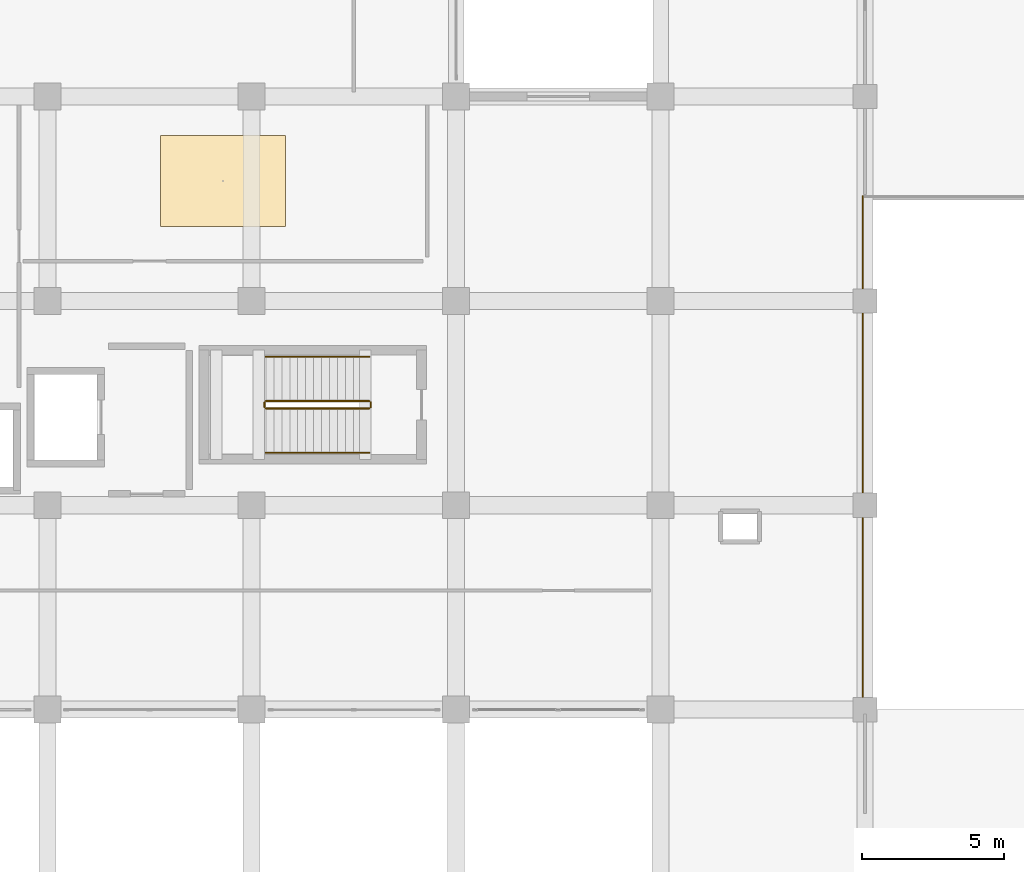
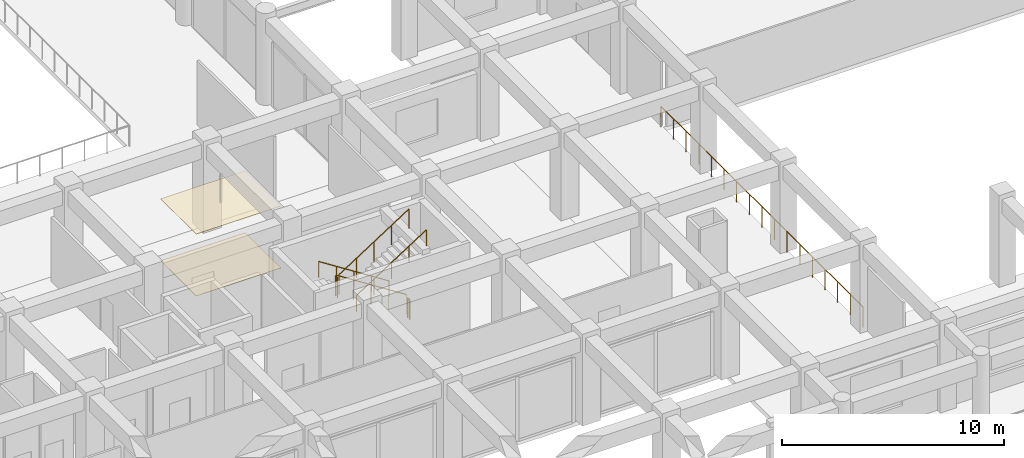
# One storey, part 51 of 54: 7 railings, 2 coverings.
"""IFC4 building model written with IfcOpenShell, lengths in metres."""

from ifc_helpers import new_model, si_unit, direction, frame, origin, origin_2d, place, context, subcontext, project, spatial, rectangle, circle, extrude, material, layer, layer_set, type_object, element, save


model = new_model("IFC4")

# Units and contexts
model_context = context("Model", 3, precision=1e-05, world=origin(), true_north=direction((0.0, 1.0)))
body_context = subcontext(model_context, "Body", "Model", "MODEL_VIEW")
ifc_project = project(units=[si_unit("LENGTHUNIT", "METRE"), si_unit("AREAUNIT", "SQUARE_METRE"), si_unit("VOLUMEUNIT", "CUBIC_METRE"), si_unit("PLANEANGLEUNIT", "RADIAN"), si_unit("MASSUNIT", "GRAM", prefix="KILO")], contexts=[model_context])

# Site, building, storey
site_placement = place(None, origin())
site = spatial("IfcSite", under=ifc_project, at=site_placement, CompositionType="ELEMENT")
building_placement = place(site_placement, origin())
building = spatial("IfcBuilding", under=site, at=building_placement, Name="Kazehaya Institute of Natural Sciences", CompositionType="ELEMENT")
storey_placement = place(building_placement, frame((0.0, 0.0, 5.39990234375)))
storey = spatial("IfcBuildingStorey", under=building, at=storey_placement, Name="L01", CompositionType="ELEMENT", Elevation=5.39990234375)

# Coverings
ifc_material_1 = material(Name="Mineral-fibre acoustic ceiling tile")
ifc_layer_1 = layer(ifc_material_1, 0.02490234375, Name="Mineral-fibre acoustic ceiling tile")
ifc_layer_set_1 = layer_set([ifc_layer_1], Name="Mineral-fibre acoustic ceiling tile")
covering_type_1 = type_object("IfcCoveringType", Name="COV-CEIL-AC", PredefinedType="CEILING", material=ifc_layer_set_1)
covering_1_placement = place(storey_placement, frame((103.989990234375, 32.625, 3.3876953125), z_axis=(0.0, 0.0, 1.0), x_axis=(1.0, 0.0, 0.0)))
element("IfcCovering", 1, at=covering_1_placement, inside=storey, type_object=covering_type_1, Name="L01 Shared NMR and Optical Instrument Suite ceiling 17", PredefinedType="CEILING", context=body_context, shape_type="SweptSolid", body=[
    extrude(rectangle(XDim=4.39990234375, YDim=3.199951171875, at=origin_2d()), origin(), (0.0, 0.0, 1.0), 0.02490234375),
])
ifc_material_2 = material(Name="Seamless chemical-resistant epoxy flooring")
ifc_layer_2 = layer(ifc_material_2, 0.014892578125, Name="Seamless chemical-resistant epoxy flooring")
ifc_layer_set_2 = layer_set([ifc_layer_2], Name="Seamless chemical-resistant epoxy flooring")
covering_type_2 = type_object("IfcCoveringType", Name="COV-FLR-EPX", PredefinedType="FLOORING", material=ifc_layer_set_2)
covering_2_placement = place(storey_placement, frame((103.989990234375, 32.625, 0.0), z_axis=(0.0, 0.0, 1.0), x_axis=(1.0, 0.0, 0.0)))
element("IfcCovering", 2, at=covering_2_placement, inside=storey, type_object=covering_type_2, Name="L01 Shared NMR and Optical Instrument Suite finish flooring 17", PredefinedType="FLOORING", context=body_context, shape_type="SweptSolid", body=[
    extrude(rectangle(XDim=4.39990234375, YDim=3.199951171875, at=origin_2d()), origin(), (0.0, 0.0, 1.0), 0.014892578125),
])

# Railings
ifc_material_3 = material(Name="Structural steel SN490B", Category="steel")
railing_type_1 = type_object("IfcRailingType", Name="RL-GUARD-VOID", PredefinedType="GUARDRAIL", material=ifc_material_3)
railing_1_placement = place(storey_placement, frame((126.52001953125, 13.919921875, 0.0)))
element("IfcRailing", 3, at=railing_1_placement, inside=storey, type_object=railing_type_1, Name="L01 void guard GRD-L01-038", PredefinedType="GUARDRAIL", context=body_context, shape_type="SweptSolid", body=[
    extrude(circle(Radius=0.02392578125, at=origin_2d()), frame((0.0, 0.0, 1.1259765625), z_axis=(0.0, 1.0, 0.0), x_axis=(-1.0, 0.0, 0.0)), (0.0, 0.0, 1.0), 18.16015625),
    extrude(circle(Radius=0.02099609375, at=origin_2d()), origin(), (0.0, 0.0, 1.0), 1.101806640625),
    extrude(circle(Radius=0.02099609375, at=origin_2d()), frame((0.0, 1.135009765625, 0.0)), (0.0, 0.0, 1.0), 1.101806640625),
    extrude(circle(Radius=0.02099609375, at=origin_2d()), frame((0.0, 2.27001953125, 0.0)), (0.0, 0.0, 1.0), 1.101806640625),
    extrude(circle(Radius=0.02099609375, at=origin_2d()), frame((0.0, 3.405029296875, 0.0)), (0.0, 0.0, 1.0), 1.101806640625),
    extrude(circle(Radius=0.02099609375, at=origin_2d()), frame((0.0, 4.5400390625, 0.0)), (0.0, 0.0, 1.0), 1.101806640625),
    extrude(circle(Radius=0.02099609375, at=origin_2d()), frame((0.0, 5.675048828125, 0.0)), (0.0, 0.0, 1.0), 1.101806640625),
    extrude(circle(Radius=0.02099609375, at=origin_2d()), frame((0.0, 6.81005859375, 0.0)), (0.0, 0.0, 1.0), 1.101806640625),
    extrude(circle(Radius=0.02099609375, at=origin_2d()), frame((0.0, 7.945068359375, 0.0)), (0.0, 0.0, 1.0), 1.101806640625),
    extrude(circle(Radius=0.02099609375, at=origin_2d()), frame((0.0, 9.080078125, 0.0)), (0.0, 0.0, 1.0), 1.101806640625),
    extrude(circle(Radius=0.02099609375, at=origin_2d()), frame((0.0, 10.215087890625, 0.0)), (0.0, 0.0, 1.0), 1.101806640625),
    extrude(circle(Radius=0.02099609375, at=origin_2d()), frame((0.0, 11.35009765625, 0.0)), (0.0, 0.0, 1.0), 1.101806640625),
    extrude(circle(Radius=0.02099609375, at=origin_2d()), frame((0.0, 12.485107421875, 0.0)), (0.0, 0.0, 1.0), 1.101806640625),
    extrude(circle(Radius=0.02099609375, at=origin_2d()), frame((0.0, 13.6201171875, 0.0)), (0.0, 0.0, 1.0), 1.101806640625),
    extrude(circle(Radius=0.02099609375, at=origin_2d()), frame((0.0, 14.755126953125, 0.0)), (0.0, 0.0, 1.0), 1.101806640625),
    extrude(circle(Radius=0.02099609375, at=origin_2d()), frame((0.0, 15.89013671875, 0.0)), (0.0, 0.0, 1.0), 1.101806640625),
    extrude(circle(Radius=0.02099609375, at=origin_2d()), frame((0.0, 17.025146484375, 0.0)), (0.0, 0.0, 1.0), 1.101806640625),
    extrude(circle(Radius=0.02099609375, at=origin_2d()), frame((0.0, 18.16015625, 0.0)), (0.0, 0.0, 1.0), 1.101806640625),
])
railing_type_2 = type_object("IfcRailingType", Name="RL-STAIR-GRD", PredefinedType="GUARDRAIL", material=ifc_material_3)
railing_2_placement = place(storey_placement, frame((109.139892578125, 24.8701171875, 0.18017578125)))
element("IfcRailing", 4, at=railing_2_placement, inside=storey, type_object=railing_type_2, Name="L01 ST-2 stair guard 1", PredefinedType="GUARDRAIL", context=body_context, shape_type="SweptSolid", body=[
    extrude(circle(Radius=0.02392578125, at=origin_2d()), frame((0.0, 0.0, 1.076171875), z_axis=(-0.841187641198, 0.0, 0.540743333104), x_axis=(0.0, -1.0, 0.0)), (0.0, 0.0, 1.0), 4.3271484375),
    extrude(circle(Radius=0.02099609375, at=origin_2d()), origin(), (0.0, 0.0, 1.0), 1.052001953125),
    extrude(circle(Radius=0.02099609375, at=origin_2d()), frame((-0.909912109375, 0.0, 0.5849609375)), (0.0, 0.0, 1.0), 1.052001953125),
    extrude(circle(Radius=0.02099609375, at=origin_2d()), frame((-1.81982421875, 0.0, 1.169921875)), (0.0, 0.0, 1.0), 1.052001953125),
    extrude(circle(Radius=0.02099609375, at=origin_2d()), frame((-2.72998046875, 0.0, 1.7548828125)), (0.0, 0.0, 1.0), 1.052001953125),
    extrude(circle(Radius=0.02099609375, at=origin_2d()), frame((-3.639892578125, 0.0, 2.33984375)), (0.0, 0.0, 1.0), 1.052001953125),
])
railing_3_placement = place(storey_placement, frame((105.449951171875, 24.820068359375, 2.52001953125)))
element("IfcRailing", 5, at=railing_3_placement, inside=storey, type_object=railing_type_2, Name="L01 ST-2 stair guard 2", PredefinedType="GUARDRAIL", context=body_context, shape_type="SweptSolid", body=[
    extrude(circle(Radius=0.02392578125, at=origin_2d()), frame((0.0, 0.0, 1.076171875), z_axis=(0.0, -1.0, 0.0), x_axis=(1.0, 0.0, 0.0)), (0.0, 0.0, 1.0), 0.16015625),
    extrude(circle(Radius=0.02099609375, at=origin_2d()), origin(), (0.0, 0.0, 1.0), 1.052001953125),
    extrude(circle(Radius=0.02099609375, at=origin_2d()), frame((0.0, -0.16015625, 0.0)), (0.0, 0.0, 1.0), 1.052001953125),
])
railing_4_placement = place(storey_placement, frame((105.5, 24.610107421875, 2.7001953125)))
element("IfcRailing", 6, at=railing_4_placement, inside=storey, type_object=railing_type_2, Name="L01 ST-2 stair guard 3", PredefinedType="GUARDRAIL", context=body_context, shape_type="SweptSolid", body=[
    extrude(circle(Radius=0.02392578125, at=origin_2d()), frame((0.0, 0.0, 1.076171875), z_axis=(0.841187641198, 0.0, 0.540743333104), x_axis=(0.0, 1.0, 0.0)), (0.0, 0.0, 1.0), 4.3271484375),
    extrude(circle(Radius=0.02099609375, at=origin_2d()), origin(), (0.0, 0.0, 1.0), 1.052001953125),
    extrude(circle(Radius=0.02099609375, at=origin_2d()), frame((0.909912109375, 0.0, 0.5849609375)), (0.0, 0.0, 1.0), 1.052001953125),
    extrude(circle(Radius=0.02099609375, at=origin_2d()), frame((1.81982421875, 0.0, 1.169921875)), (0.0, 0.0, 1.0), 1.052001953125),
    extrude(circle(Radius=0.02099609375, at=origin_2d()), frame((2.72998046875, 0.0, 1.7548828125)), (0.0, 0.0, 1.0), 1.052001953125),
    extrude(circle(Radius=0.02099609375, at=origin_2d()), frame((3.639892578125, 0.0, 2.33984375)), (0.0, 0.0, 1.0), 1.052001953125),
])
railing_5_placement = place(storey_placement, frame((109.18994140625, 24.820068359375, 0.0)))
element("IfcRailing", 7, at=railing_5_placement, inside=storey, type_object=railing_type_2, Name="L01 ST-2 stair guard 4", PredefinedType="GUARDRAIL", context=body_context, shape_type="SweptSolid", body=[
    extrude(circle(Radius=0.02392578125, at=origin_2d()), frame((0.0, 0.0, 1.076171875), z_axis=(0.0, -1.0, 0.0), x_axis=(1.0, 0.0, 0.0)), (0.0, 0.0, 1.0), 0.16015625),
    extrude(circle(Radius=0.02099609375, at=origin_2d()), origin(), (0.0, 0.0, 1.0), 1.052001953125),
    extrude(circle(Radius=0.02099609375, at=origin_2d()), frame((0.0, -0.16015625, 0.0)), (0.0, 0.0, 1.0), 1.052001953125),
])
ifc_material_4 = material(Name="Brushed stainless steel handrail", Category="steel")
railing_type_3 = type_object("IfcRailingType", Name="RL-STAIR-HND", PredefinedType="HANDRAIL", material=ifc_material_4)
railing_6_placement = place(storey_placement, frame((109.139892578125, 26.429931640625, 0.18017578125)))
element("IfcRailing", 8, at=railing_6_placement, inside=storey, type_object=railing_type_3, Name="L01 ST-2 stair handrail 1", PredefinedType="HANDRAIL", context=body_context, shape_type="SweptSolid", body=[
    extrude(circle(Radius=0.02392578125, at=origin_2d()), frame((0.0, 0.0, 0.8759765625), z_axis=(-0.841187641198, 0.0, 0.540743333104), x_axis=(0.0, -1.0, 0.0)), (0.0, 0.0, 1.0), 4.3271484375),
    extrude(circle(Radius=0.02099609375, at=origin_2d()), origin(), (0.0, 0.0, 1.0), 0.851806640625),
    extrude(circle(Radius=0.02099609375, at=origin_2d()), frame((-0.909912109375, 0.0, 0.5849609375)), (0.0, 0.0, 1.0), 0.851806640625),
    extrude(circle(Radius=0.02099609375, at=origin_2d()), frame((-1.81982421875, 0.0, 1.169921875)), (0.0, 0.0, 1.0), 0.851806640625),
    extrude(circle(Radius=0.02099609375, at=origin_2d()), frame((-2.72998046875, 0.0, 1.7548828125)), (0.0, 0.0, 1.0), 0.851806640625),
    extrude(circle(Radius=0.02099609375, at=origin_2d()), frame((-3.639892578125, 0.0, 2.33984375)), (0.0, 0.0, 1.0), 0.851806640625),
])
railing_7_placement = place(storey_placement, frame((105.5, 23.050048828125, 2.7001953125)))
element("IfcRailing", 9, at=railing_7_placement, inside=storey, type_object=railing_type_3, Name="L01 ST-2 stair handrail 2", PredefinedType="HANDRAIL", context=body_context, shape_type="SweptSolid", body=[
    extrude(circle(Radius=0.02392578125, at=origin_2d()), frame((0.0, 0.0, 0.8759765625), z_axis=(0.841187641198, 0.0, 0.540743333104), x_axis=(0.0, 1.0, 0.0)), (0.0, 0.0, 1.0), 4.3271484375),
    extrude(circle(Radius=0.02099609375, at=origin_2d()), origin(), (0.0, 0.0, 1.0), 0.851806640625),
    extrude(circle(Radius=0.02099609375, at=origin_2d()), frame((0.909912109375, 0.0, 0.5849609375)), (0.0, 0.0, 1.0), 0.851806640625),
    extrude(circle(Radius=0.02099609375, at=origin_2d()), frame((1.81982421875, 0.0, 1.169921875)), (0.0, 0.0, 1.0), 0.851806640625),
    extrude(circle(Radius=0.02099609375, at=origin_2d()), frame((2.72998046875, 0.0, 1.7548828125)), (0.0, 0.0, 1.0), 0.851806640625),
    extrude(circle(Radius=0.02099609375, at=origin_2d()), frame((3.639892578125, 0.0, 2.33984375)), (0.0, 0.0, 1.0), 0.851806640625),
])

save(model, "model.ifc")
